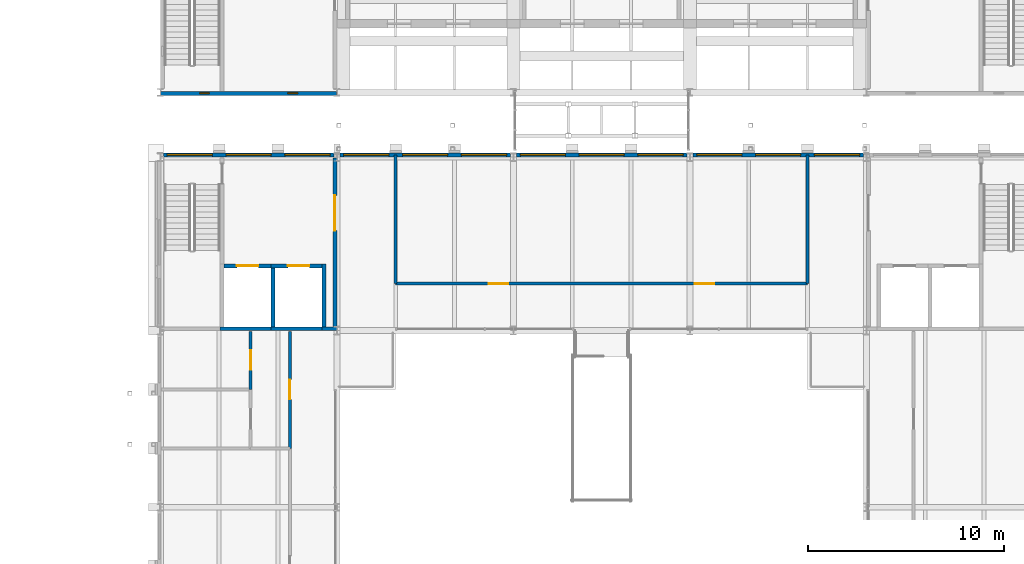
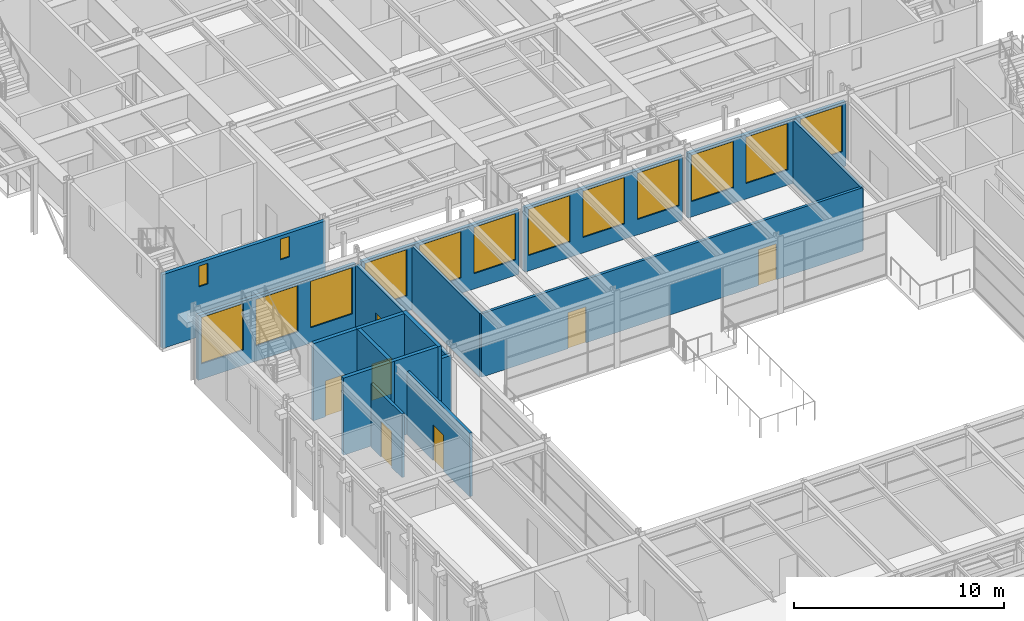
# One storey, part 103 of 153: 18 walls, 14 windows, 7 doors, 21 openings.
"""IFC4 building model written with IfcOpenShell, lengths in metres."""

from ifc_helpers import new_model, si_unit, direction, frame, frame_2d, origin, place, context, subcontext, project, spatial, rectangle, extrude, material, layer, layer_set, type_object, element, fill, save


model = new_model("IFC4")

# Units and contexts
model_context = context("Model", 3, precision=1e-05, world=origin(), true_north=direction((0.0, 1.0)))
body_context = subcontext(model_context, "Body", "Model", "MODEL_VIEW")
ifc_project = project(units=[si_unit("LENGTHUNIT", "METRE"), si_unit("AREAUNIT", "SQUARE_METRE"), si_unit("VOLUMEUNIT", "CUBIC_METRE"), si_unit("PLANEANGLEUNIT", "RADIAN"), si_unit("MASSUNIT", "GRAM", prefix="KILO")], contexts=[model_context])

# Site, building, storey
site_placement = place(None, origin())
site = spatial("IfcSite", under=ifc_project, at=site_placement, CompositionType="ELEMENT")
building_placement = place(site_placement, origin())
building = spatial("IfcBuilding", under=site, at=building_placement, Name="Kallimachos Central Library", CompositionType="ELEMENT")
storey_placement = place(building_placement, frame((0.0, 0.0, 5.39990234375)))
storey = spatial("IfcBuildingStorey", under=building, at=storey_placement, Name="L01", CompositionType="ELEMENT", Elevation=5.39990234375)

# Wall, opening, door
ifc_material_1 = material(Name="Concrete C30/37", Category="concrete")
ifc_layer_1 = layer(ifc_material_1, 0.199951171875)
ifc_layer_set_1 = layer_set([ifc_layer_1], Name="Lift shaft wall 200")
wall_type_1 = type_object("IfcWallType", Name="Lift shaft wall 200", PredefinedType="SOLIDWALL", material=ifc_layer_set_1)
wall_1_placement = place(storey_placement, frame((68.75, 78.300048828125, 0.0), z_axis=(0.0, 0.0, 1.0), x_axis=(1.0, 0.0, 0.0)))
wall_1 = element("IfcWall", 1, at=wall_1_placement, inside=storey, type_object=wall_type_1, Name="V4-WAL-L01-001", PredefinedType="SOLIDWALL", context=body_context, shape_type="SweptSolid", body=[
    extrude(rectangle(XDim=2.39990234375, YDim=0.199951171875, at=frame_2d((1.199951171875, 0.0))), origin(), (0.0, 0.0, 1.0), 4.5),
])
opening_1_placement = place(wall_1_placement, frame((0.64990234375, 0.0, 0.0)))
opening_1 = element("IfcOpeningElement", 2, at=opening_1_placement, cuts=wall_1, Name="Opening LD1100", PredefinedType="OPENING", context=body_context, shape_type="SweptSolid", body=[
    extrude(rectangle(XDim=1.10009765625, YDim=2.10009765625, at=frame_2d((0.550048828125, 1.050048828125))), frame((0.0, 0.10986328125, 0.0), z_axis=(0.0, -1.0, 0.0), x_axis=(1.0, 0.0, 0.0)), (0.0, 0.0, 1.0), 0.219970703125),
])
ifc_material_2 = material(Name="Stainless steel", Category="steel")
door_type_1 = type_object("IfcDoorType", Name="Lift landing door 1100 x 2100", OperationType="SLIDING_TO_LEFT", PredefinedType="DOOR", material=ifc_material_2)
door_1_placement = place(opening_1_placement, origin())
door_1 = element("IfcDoor", 3, at=door_1_placement, inside=storey, type_object=door_type_1, Name="LF7 landing door L01", OperationType="SLIDING_TO_LEFT", OverallHeight=2.10009765625, OverallWidth=1.10009765625, PredefinedType="DOOR", context=body_context, shape_type="SweptSolid", body=[
    extrude(rectangle(XDim=1.10009765625, YDim=2.10009765625, at=frame_2d((0.550048828125, 1.050048828125))), frame((0.0, 0.02490234375, 0.0), z_axis=(0.0, -1.0, 0.0), x_axis=(1.0, 0.0, 0.0)), (0.0, 0.0, 1.0), 0.050048828125),
])
fill(opening_1, door_1)

# Walls
wall_2_placement = place(storey_placement, frame((68.550048828125, 75.10009765625, 0.0), z_axis=(0.0, 0.0, 1.0), x_axis=(1.0, 0.0, 0.0)))
element("IfcWall", 4, at=wall_2_placement, inside=storey, type_object=wall_type_1, Name="V4-WAL-L01-002", PredefinedType="SOLIDWALL", context=body_context, shape_type="SweptSolid", body=[
    extrude(rectangle(XDim=2.599853515625, YDim=0.199951171875, at=frame_2d((1.2998046875, 0.0))), origin(), (0.0, 0.0, 1.0), 4.5),
])
wall_3_placement = place(storey_placement, frame((71.25, 75.0, 0.0), z_axis=(0.0, 0.0, 1.0), x_axis=(0.0, 1.0, 0.0)))
element("IfcWall", 5, at=wall_3_placement, inside=storey, type_object=wall_type_1, Name="V4-WAL-L01-004", PredefinedType="SOLIDWALL", context=body_context, shape_type="SweptSolid", body=[
    extrude(rectangle(XDim=3.39990234375, YDim=0.199951171875, at=frame_2d((1.699951171875, 0.0))), origin(), (0.0, 0.0, 1.0), 4.5),
])

# Wall, opening, door
wall_4_placement = place(storey_placement, frame((71.14990234375, 78.300048828125, 0.0), z_axis=(0.0, 0.0, 1.0), x_axis=(1.0, 0.0, 0.0)))
wall_4 = element("IfcWall", 6, at=wall_4_placement, inside=storey, type_object=wall_type_1, Name="V4-WAL-L01-005", PredefinedType="SOLIDWALL", context=body_context, shape_type="SweptSolid", body=[
    extrude(rectangle(XDim=2.60009765625, YDim=0.199951171875, at=frame_2d((1.300048828125, 0.0))), origin(), (0.0, 0.0, 1.0), 4.5),
])
opening_2_placement = place(wall_4_placement, frame((0.85009765625, 0.0, 0.0)))
opening_2 = element("IfcOpeningElement", 7, at=opening_2_placement, cuts=wall_4, Name="Opening LD1100", PredefinedType="OPENING", context=body_context, shape_type="SweptSolid", body=[
    extrude(rectangle(XDim=1.10009765625, YDim=2.10009765625, at=frame_2d((0.550048828125, 1.050048828125))), frame((0.0, 0.10986328125, 0.0), z_axis=(0.0, -1.0, 0.0), x_axis=(1.0, 0.0, 0.0)), (0.0, 0.0, 1.0), 0.219970703125),
])
door_2_placement = place(opening_2_placement, origin())
door_2 = element("IfcDoor", 8, at=door_2_placement, inside=storey, type_object=door_type_1, Name="LF8 landing door L01", OperationType="SLIDING_TO_LEFT", OverallHeight=2.10009765625, OverallWidth=1.10009765625, PredefinedType="DOOR", context=body_context, shape_type="SweptSolid", body=[
    extrude(rectangle(XDim=1.10009765625, YDim=2.10009765625, at=frame_2d((0.550048828125, 1.050048828125))), frame((0.0, 0.02490234375, 0.0), z_axis=(0.0, -1.0, 0.0), x_axis=(1.0, 0.0, 0.0)), (0.0, 0.0, 1.0), 0.050048828125),
])
fill(opening_2, door_2)

# Walls
wall_5_placement = place(storey_placement, frame((71.14990234375, 75.10009765625, 0.0), z_axis=(0.0, 0.0, 1.0), x_axis=(1.0, 0.0, 0.0)))
element("IfcWall", 9, at=wall_5_placement, inside=storey, type_object=wall_type_1, Name="V4-WAL-L01-006", PredefinedType="SOLIDWALL", context=body_context, shape_type="SweptSolid", body=[
    extrude(rectangle(XDim=2.60009765625, YDim=0.199951171875, at=frame_2d((1.300048828125, 0.0))), origin(), (0.0, 0.0, 1.0), 4.5),
])
wall_6_placement = place(storey_placement, frame((73.85009765625, 75.0, 0.0), z_axis=(0.0, 0.0, 1.0), x_axis=(0.0, 1.0, 0.0)))
element("IfcWall", 10, at=wall_6_placement, inside=storey, type_object=wall_type_1, Name="V4-WAL-L01-007", PredefinedType="SOLIDWALL", context=body_context, shape_type="SweptSolid", body=[
    extrude(rectangle(XDim=3.39990234375, YDim=0.199951171875, at=frame_2d((1.699951171875, 0.0))), origin(), (0.0, 0.0, 1.0), 4.5),
])
ifc_material_3 = material(Name="Gypsum board on steel studs", Category="steel")
ifc_layer_2 = layer(ifc_material_3, 0.14990234375)
ifc_layer_set_2 = layer_set([ifc_layer_2], Name="Partition wall 150")
wall_type_2 = type_object("IfcWallType", Name="Partition wall 150", PredefinedType="PARTITIONING", material=ifc_layer_set_2)
for number, where, z_axis, x_axis, name in (
    (11, (98.5, 77.39990234375, 0.0), (0.0, 0.0, 1.0), (0.0, 1.0, 0.0), "L01 partition"),
    (12, (77.5, 77.39990234375, 0.0), (0.0, 0.0, 1.0), (0.0, 1.0, 0.0), "L01 partition"),
):
    element("IfcWall", number, at=place(storey_placement, frame(where, z_axis=z_axis, x_axis=x_axis)), inside=storey, type_object=wall_type_2, Name=name, PredefinedType="PARTITIONING", context=body_context, shape_type="SweptSolid", body=[
        extrude(rectangle(XDim=6.550048828125, YDim=0.14990234375, at=frame_2d((3.27490234375, 0.0))), origin(), (0.0, 0.0, 1.0), 3.7001953125),
    ])

# Wall, openings, doors
wall_7_placement = place(storey_placement, frame((77.5, 77.39990234375, 0.0), z_axis=(0.0, 0.0, 1.0), x_axis=(1.0, 0.0, 0.0)))
wall_7 = element("IfcWall", 13, at=wall_7_placement, inside=storey, type_object=wall_type_2, Name="L01 partition", PredefinedType="PARTITIONING", context=body_context, shape_type="SweptSolid", body=[
    extrude(rectangle(XDim=21.0, YDim=0.14990234375, at=frame_2d((10.5, 0.0))), origin(), (0.0, 0.0, 1.0), 3.7001953125),
])
opening_3_placement = place(wall_7_placement, frame((4.75, 0.0, 0.0)))
opening_3 = element("IfcOpeningElement", 14, at=opening_3_placement, cuts=wall_7, Name="Opening D189", PredefinedType="OPENING", context=body_context, shape_type="SweptSolid", body=[
    extrude(rectangle(XDim=1.0, YDim=2.10009765625, at=frame_2d((0.5, 1.050048828125))), frame((0.0, 0.0849609375, 0.0), z_axis=(0.0, -1.0, 0.0), x_axis=(1.0, 0.0, 0.0)), (0.0, 0.0, 1.0), 0.169921875),
])
opening_4_placement = place(wall_7_placement, frame((15.25, 0.0, 0.0)))
opening_4 = element("IfcOpeningElement", 15, at=opening_4_placement, cuts=wall_7, Name="Opening D190", PredefinedType="OPENING", context=body_context, shape_type="SweptSolid", body=[
    extrude(rectangle(XDim=1.0, YDim=2.10009765625, at=frame_2d((0.5, 1.050048828125))), frame((0.0, 0.0849609375, 0.0), z_axis=(0.0, -1.0, 0.0), x_axis=(1.0, 0.0, 0.0)), (0.0, 0.0, 1.0), 0.169921875),
])
ifc_material_4 = material(Name="Timber", Category="wood")
door_type_2 = type_object("IfcDoorType", Name="Single leaf door 1000 x 2100, EI2 30", OperationType="NOTDEFINED", PredefinedType="DOOR", material=ifc_material_4)
door_3_placement = place(opening_3_placement, frame((1.0, 0.0, 0.0), z_axis=(0.0, 0.0, 1.0), x_axis=(-1.0, 0.0, 0.0)))
door_3 = element("IfcDoor", 16, at=door_3_placement, inside=storey, type_object=door_type_2, Name="L01 door Open Stacks Humanities", OperationType="SINGLE_SWING_LEFT", OverallHeight=2.10009765625, OverallWidth=1.0, PredefinedType="DOOR", context=body_context, shape_type="SweptSolid", body=[
    extrude(rectangle(XDim=1.0, YDim=2.10009765625, at=frame_2d((0.5, 1.050048828125))), frame((0.0, 0.02490234375, 0.0), z_axis=(0.0, -1.0, 0.0), x_axis=(1.0, 0.0, 0.0)), (0.0, 0.0, 1.0), 0.050048828125),
])
fill(opening_3, door_3)
door_4_placement = place(opening_4_placement, frame((1.0, 0.0, 0.0), z_axis=(0.0, 0.0, 1.0), x_axis=(-1.0, 0.0, 0.0)))
door_4 = element("IfcDoor", 17, at=door_4_placement, inside=storey, type_object=door_type_2, Name="L01 door Open Stacks Humanities", OperationType="SINGLE_SWING_LEFT", OverallHeight=2.10009765625, OverallWidth=1.0, PredefinedType="DOOR", context=body_context, shape_type="SweptSolid", body=[
    extrude(rectangle(XDim=1.0, YDim=2.10009765625, at=frame_2d((0.5, 1.050048828125))), frame((0.0, 0.02490234375, 0.0), z_axis=(0.0, -1.0, 0.0), x_axis=(1.0, 0.0, 0.0)), (0.0, 0.0, 1.0), 0.050048828125),
])
fill(opening_4, door_4)

# Wall, opening, door
wall_8_placement = place(storey_placement, frame((72.10009765625, 69.0, 0.0), z_axis=(0.0, 0.0, 1.0), x_axis=(0.0, 1.0, 0.0)))
wall_8 = element("IfcWall", 18, at=wall_8_placement, inside=storey, type_object=wall_type_2, Name="L01 partition", PredefinedType="PARTITIONING", context=body_context, shape_type="SweptSolid", body=[
    extrude(rectangle(XDim=5.949951171875, YDim=0.14990234375, at=frame_2d((2.97509765625, 0.0))), origin(), (0.0, 0.0, 1.0), 3.7001953125),
])
opening_5_placement = place(wall_8_placement, frame((2.5, 0.0, 0.0)))
opening_5 = element("IfcOpeningElement", 19, at=opening_5_placement, cuts=wall_8, Name="Opening D194", PredefinedType="OPENING", context=body_context, shape_type="SweptSolid", body=[
    extrude(rectangle(XDim=1.0, YDim=2.10009765625, at=frame_2d((0.5, 1.050048828125))), frame((0.0, 0.0849609375, 0.0), z_axis=(0.0, -1.0, 0.0), x_axis=(1.0, 0.0, 0.0)), (0.0, 0.0, 1.0), 0.169921875),
])
door_5_placement = place(opening_5_placement, origin())
door_5 = element("IfcDoor", 20, at=door_5_placement, inside=storey, type_object=door_type_2, Name="L01 door WC Lobby", OperationType="SINGLE_SWING_RIGHT", OverallHeight=2.10009765625, OverallWidth=1.0, PredefinedType="DOOR", context=body_context, shape_type="SweptSolid", body=[
    extrude(rectangle(XDim=1.0, YDim=2.10009765625, at=frame_2d((0.5, 1.050048828125))), frame((0.0, 0.02490234375, 0.0), z_axis=(0.0, -1.0, 0.0), x_axis=(1.0, 0.0, 0.0)), (0.0, 0.0, 1.0), 0.050048828125),
])
fill(opening_5, door_5)

wall_9_placement = place(storey_placement, frame((70.10009765625, 72.0, 0.0), z_axis=(0.0, 0.0, 1.0), x_axis=(0.0, 1.0, 0.0)))
wall_9 = element("IfcWall", 21, at=wall_9_placement, inside=storey, type_object=wall_type_2, Name="L01 partition", PredefinedType="PARTITIONING", context=body_context, shape_type="SweptSolid", body=[
    extrude(rectangle(XDim=2.949951171875, YDim=0.14990234375, at=frame_2d((1.47509765625, 0.0))), origin(), (0.0, 0.0, 1.0), 3.7001953125),
])
opening_6_placement = place(wall_9_placement, frame((1.0, 0.0, 0.0)))
opening_6 = element("IfcOpeningElement", 22, at=opening_6_placement, cuts=wall_9, Name="Opening D196", PredefinedType="OPENING", context=body_context, shape_type="SweptSolid", body=[
    extrude(rectangle(XDim=1.0, YDim=2.10009765625, at=frame_2d((0.5, 1.050048828125))), frame((0.0, 0.0849609375, 0.0), z_axis=(0.0, -1.0, 0.0), x_axis=(1.0, 0.0, 0.0)), (0.0, 0.0, 1.0), 0.169921875),
])
door_6_placement = place(opening_6_placement, frame((1.0, 0.0, 0.0), z_axis=(0.0, 0.0, 1.0), x_axis=(-1.0, 0.0, 0.0)))
door_6 = element("IfcDoor", 23, at=door_6_placement, inside=storey, type_object=door_type_2, Name="L01 door Accessible WC", OperationType="SINGLE_SWING_RIGHT", OverallHeight=2.10009765625, OverallWidth=1.0, PredefinedType="DOOR", context=body_context, shape_type="SweptSolid", body=[
    extrude(rectangle(XDim=1.0, YDim=2.10009765625, at=frame_2d((0.5, 1.050048828125))), frame((0.0, 0.02490234375, 0.0), z_axis=(0.0, -1.0, 0.0), x_axis=(1.0, 0.0, 0.0)), (0.0, 0.0, 1.0), 0.050048828125),
])
fill(opening_6, door_6)

# Wall
ifc_material_5 = material(Name="Concrete C35/45", Category="concrete")
ifc_layer_3 = layer(ifc_material_5, 0.199951171875)
ifc_layer_set_3 = layer_set([ifc_layer_3], Name="Shear core wall 200, internal")
wall_type_3 = type_object("IfcWallType", Name="Shear core wall 200, internal", PredefinedType="SHEAR", material=ifc_layer_set_3)
wall_10_placement = place(storey_placement, frame((73.75, 75.10009765625, 0.0), z_axis=(0.0, 0.0, 1.0), x_axis=(1.0, 0.0, 0.0)))
element("IfcWall", 24, at=wall_10_placement, inside=storey, type_object=wall_type_3, Name="L01 core wall V4-NW S2", PredefinedType="SHEAR", context=body_context, shape_type="SweptSolid", body=[
    extrude(rectangle(XDim=0.75, YDim=0.199951171875, at=frame_2d((0.375, 0.0))), origin(), (0.0, 0.0, 1.0), 3.75),
])

# Wall, opening, door
wall_11_placement = place(storey_placement, frame((74.39990234375, 75.199951171875, 0.0), z_axis=(0.0, 0.0, 1.0), x_axis=(0.0, 1.0, 0.0)))
wall_11 = element("IfcWall", 25, at=wall_11_placement, inside=storey, type_object=wall_type_3, Name="L01 core wall V4-NW E", PredefinedType="SHEAR", context=body_context, shape_type="SweptSolid", body=[
    extrude(rectangle(XDim=8.60009765625, YDim=0.199951171875, at=frame_2d((4.300048828125, 0.0))), origin(), (0.0, 0.0, 1.0), 3.75),
])
opening_7_placement = place(wall_11_placement, frame((4.89990234375, 0.0, 0.0)))
opening_7 = element("IfcOpeningElement", 26, at=opening_7_placement, cuts=wall_11, Name="Opening D147", PredefinedType="OPENING", context=body_context, shape_type="SweptSolid", body=[
    extrude(rectangle(XDim=1.800048828125, YDim=2.10009765625, at=frame_2d((0.89990234375, 1.050048828125))), frame((0.0, 0.10986328125, 0.0), z_axis=(0.0, -1.0, 0.0), x_axis=(1.0, 0.0, 0.0)), (0.0, 0.0, 1.0), 0.219970703125),
])
ifc_material_6 = material(Name="Timber and glass", Category="wood")
door_type_3 = type_object("IfcDoorType", Name="Double leaf door 1800 x 2100, EI2 90", OperationType="DOUBLE_DOOR_SINGLE_SWING", PredefinedType="DOOR", material=ifc_material_6)
door_7_placement = place(opening_7_placement, origin())
door_7 = element("IfcDoor", 27, at=door_7_placement, inside=storey, type_object=door_type_3, Name="L01 core door V4-NW", OperationType="DOUBLE_DOOR_SINGLE_SWING", OverallHeight=2.10009765625, OverallWidth=1.800048828125, PredefinedType="DOOR", context=body_context, shape_type="SweptSolid", body=[
    extrude(rectangle(XDim=1.800048828125, YDim=2.10009765625, at=frame_2d((0.89990234375, 1.050048828125))), frame((0.0, 0.02490234375, 0.0), z_axis=(0.0, -1.0, 0.0), x_axis=(1.0, 0.0, 0.0)), (0.0, 0.0, 1.0), 0.050048828125),
])
fill(opening_7, door_7)

# Wall, openings, windows
ifc_material_7 = material(Name="Concrete C30/37", Category="concrete")
ifc_layer_4 = layer(ifc_material_7, 0.199951171875)
ifc_layer_set_4 = layer_set([ifc_layer_4], Name="Stone-clad core wall 200")
wall_type_4 = type_object("IfcWallType", Name="Stone-clad core wall 200", PredefinedType="SOLIDWALL", material=ifc_layer_set_4)
wall_12_placement = place(storey_placement, frame((65.510986328125, 87.10009765625, 0.0), z_axis=(0.0, 0.0, 1.0), x_axis=(1.0, 0.0, 0.0)))
wall_12 = element("IfcWall", 28, at=wall_12_placement, inside=storey, type_object=wall_type_4, Name="Core wall V1-SW S", PredefinedType="SOLIDWALL", context=body_context, shape_type="SweptSolid", body=[
    extrude(rectangle(XDim=8.97802734375, YDim=0.199951171875, at=frame_2d((4.489013671875, 0.0))), origin(), (0.0, 0.0, 1.0), 4.300048828125),
])
opening_8_placement = place(wall_12_placement, frame((1.989013671875, 0.0, 2.89990234375)))
opening_8 = element("IfcOpeningElement", 29, at=opening_8_placement, cuts=wall_12, Name="Opening W98", PredefinedType="OPENING", context=body_context, shape_type="SweptSolid", body=[
    extrude(rectangle(XDim=0.5, YDim=1.199951171875, at=frame_2d((0.25, 0.60009765625))), frame((0.0, 0.10986328125, 0.0), z_axis=(0.0, -1.0, 0.0), x_axis=(1.0, 0.0, 0.0)), (0.0, 0.0, 1.0), 0.219970703125),
])
opening_9_placement = place(wall_12_placement, frame((6.489013671875, 0.0, 2.89990234375)))
opening_9 = element("IfcOpeningElement", 30, at=opening_9_placement, cuts=wall_12, Name="Opening W99", PredefinedType="OPENING", context=body_context, shape_type="SweptSolid", body=[
    extrude(rectangle(XDim=0.5, YDim=1.199951171875, at=frame_2d((0.25, 0.60009765625))), frame((0.0, 0.10986328125, 0.0), z_axis=(0.0, -1.0, 0.0), x_axis=(1.0, 0.0, 0.0)), (0.0, 0.0, 1.0), 0.219970703125),
])
ifc_material_8 = material(Name="Laminated glass in bronze-anodised aluminium frame", Category="aluminium")
window_type_1 = type_object("IfcWindowType", Name="Stair slot window 500x1200", PartitioningType="SINGLE_PANEL", PredefinedType="WINDOW", material=ifc_material_8)
window_1_placement = place(opening_8_placement, origin())
window_1 = element("IfcWindow", 31, at=window_1_placement, inside=storey, type_object=window_type_1, Name="V1-WIN-L01-019", OverallHeight=1.199951171875, OverallWidth=0.5, PartitioningType="SINGLE_PANEL", PredefinedType="WINDOW", context=body_context, shape_type="SweptSolid", body=[
    extrude(rectangle(XDim=0.5, YDim=1.199951171875, at=frame_2d((0.25, 0.60009765625))), frame((0.0, 0.030029296875, 0.0), z_axis=(0.0, -1.0, 0.0), x_axis=(1.0, 0.0, 0.0)), (0.0, 0.0, 1.0), 0.06005859375),
])
fill(opening_8, window_1)
window_2_placement = place(opening_9_placement, origin())
window_2 = element("IfcWindow", 32, at=window_2_placement, inside=storey, type_object=window_type_1, Name="V1-WIN-L01-020", OverallHeight=1.199951171875, OverallWidth=0.5, PartitioningType="SINGLE_PANEL", PredefinedType="WINDOW", context=body_context, shape_type="SweptSolid", body=[
    extrude(rectangle(XDim=0.5, YDim=1.199951171875, at=frame_2d((0.25, 0.60009765625))), frame((0.0, 0.030029296875, 0.0), z_axis=(0.0, -1.0, 0.0), x_axis=(1.0, 0.0, 0.0)), (0.0, 0.0, 1.0), 0.06005859375),
])
fill(opening_9, window_2)

ifc_material_9 = material(Name="Brick masonry with Pentelic marble cladding", Category="masonry")
ifc_layer_5 = layer(ifc_material_9, 0.199951171875)
ifc_layer_set_5 = layer_set([ifc_layer_5], Name="Stone-clad masonry wall 200")
wall_type_5 = type_object("IfcWallType", Name="Stone-clad masonry wall 200", PredefinedType="SOLIDWALL", material=ifc_layer_set_5)
wall_13_placement = place(storey_placement, frame((74.653564453125, 83.966064453125, 0.0), z_axis=(0.0, 0.0, 1.0), x_axis=(1.0, 0.0, 0.0)))
wall_13 = element("IfcWall", 33, at=wall_13_placement, inside=storey, type_object=wall_type_5, Name="V4-WAL-L01-021", PredefinedType="SOLIDWALL", context=body_context, shape_type="SweptSolid", body=[
    extrude(rectangle(XDim=8.69287109375, YDim=0.199951171875, at=frame_2d((4.346435546875, 0.0))), origin(), (0.0, 0.0, 1.0), 3.75),
])
opening_10_placement = place(wall_13_placement, frame((0.196533203125, 0.0, 0.89990234375)))
opening_10 = element("IfcOpeningElement", 34, at=opening_10_placement, cuts=wall_13, Name="Opening WN161", PredefinedType="OPENING", context=body_context, shape_type="SweptSolid", body=[
    extrude(rectangle(XDim=2.300048828125, YDim=2.699951171875, at=frame_2d((1.14990234375, 1.35009765625))), frame((0.0, 0.10986328125, 0.0), z_axis=(0.0, -1.0, 0.0), x_axis=(1.0, 0.0, 0.0)), (0.0, 0.0, 1.0), 0.219970703125),
])
opening_11_placement = place(wall_13_placement, frame((3.196533203125, 0.0, 0.89990234375)))
opening_11 = element("IfcOpeningElement", 35, at=opening_11_placement, cuts=wall_13, Name="Opening WN161", PredefinedType="OPENING", context=body_context, shape_type="SweptSolid", body=[
    extrude(rectangle(XDim=2.300048828125, YDim=2.699951171875, at=frame_2d((1.14990234375, 1.35009765625))), frame((0.0, 0.10986328125, 0.0), z_axis=(0.0, -1.0, 0.0), x_axis=(1.0, 0.0, 0.0)), (0.0, 0.0, 1.0), 0.219970703125),
])
opening_12_placement = place(wall_13_placement, frame((6.196533203125, 0.0, 0.89990234375)))
opening_12 = element("IfcOpeningElement", 36, at=opening_12_placement, cuts=wall_13, Name="Opening WN161", PredefinedType="OPENING", context=body_context, shape_type="SweptSolid", body=[
    extrude(rectangle(XDim=2.300048828125, YDim=2.699951171875, at=frame_2d((1.14990234375, 1.35009765625))), frame((0.0, 0.10986328125, 0.0), z_axis=(0.0, -1.0, 0.0), x_axis=(1.0, 0.0, 0.0)), (0.0, 0.0, 1.0), 0.219970703125),
])
ifc_material_10 = material(Name="Anodised aluminium and laminated glass", Category="aluminium")
window_type_2 = type_object("IfcWindowType", Name="Window 2300 x 2700", PartitioningType="DOUBLE_PANEL_VERTICAL", PredefinedType="WINDOW", material=ifc_material_10)
window_3_placement = place(opening_10_placement, origin())
window_3 = element("IfcWindow", 37, at=window_3_placement, inside=storey, type_object=window_type_2, Name="V4-WIN-L01-018", OverallHeight=2.699951171875, OverallWidth=2.300048828125, PartitioningType="SINGLE_PANEL", PredefinedType="WINDOW", context=body_context, shape_type="SweptSolid", body=[
    extrude(rectangle(XDim=2.300048828125, YDim=2.699951171875, at=frame_2d((1.14990234375, 1.35009765625))), frame((0.0, 0.030029296875, 0.0), z_axis=(0.0, -1.0, 0.0), x_axis=(1.0, 0.0, 0.0)), (0.0, 0.0, 1.0), 0.06005859375),
])
fill(opening_10, window_3)
window_4_placement = place(opening_11_placement, origin())
window_4 = element("IfcWindow", 38, at=window_4_placement, inside=storey, type_object=window_type_2, Name="V4-WIN-L01-019", OverallHeight=2.699951171875, OverallWidth=2.300048828125, PartitioningType="SINGLE_PANEL", PredefinedType="WINDOW", context=body_context, shape_type="SweptSolid", body=[
    extrude(rectangle(XDim=2.300048828125, YDim=2.699951171875, at=frame_2d((1.14990234375, 1.35009765625))), frame((0.0, 0.030029296875, 0.0), z_axis=(0.0, -1.0, 0.0), x_axis=(1.0, 0.0, 0.0)), (0.0, 0.0, 1.0), 0.06005859375),
])
fill(opening_11, window_4)
window_5_placement = place(opening_12_placement, origin())
window_5 = element("IfcWindow", 39, at=window_5_placement, inside=storey, type_object=window_type_2, Name="V4-WIN-L01-020", OverallHeight=2.699951171875, OverallWidth=2.300048828125, PartitioningType="SINGLE_PANEL", PredefinedType="WINDOW", context=body_context, shape_type="SweptSolid", body=[
    extrude(rectangle(XDim=2.300048828125, YDim=2.699951171875, at=frame_2d((1.14990234375, 1.35009765625))), frame((0.0, 0.030029296875, 0.0), z_axis=(0.0, -1.0, 0.0), x_axis=(1.0, 0.0, 0.0)), (0.0, 0.0, 1.0), 0.06005859375),
])
fill(opening_12, window_5)

wall_14_placement = place(storey_placement, frame((83.653564453125, 83.966064453125, 0.0), z_axis=(0.0, 0.0, 1.0), x_axis=(1.0, 0.0, 0.0)))
wall_14 = element("IfcWall", 40, at=wall_14_placement, inside=storey, type_object=wall_type_5, Name="V4-WAL-L01-022", PredefinedType="SOLIDWALL", context=body_context, shape_type="SweptSolid", body=[
    extrude(rectangle(XDim=8.69287109375, YDim=0.199951171875, at=frame_2d((4.346435546875, 0.0))), origin(), (0.0, 0.0, 1.0), 3.75),
])
opening_13_placement = place(wall_14_placement, frame((0.196533203125, 0.0, 0.89990234375)))
opening_13 = element("IfcOpeningElement", 41, at=opening_13_placement, cuts=wall_14, Name="Opening WN161", PredefinedType="OPENING", context=body_context, shape_type="SweptSolid", body=[
    extrude(rectangle(XDim=2.300048828125, YDim=2.699951171875, at=frame_2d((1.14990234375, 1.35009765625))), frame((0.0, 0.10986328125, 0.0), z_axis=(0.0, -1.0, 0.0), x_axis=(1.0, 0.0, 0.0)), (0.0, 0.0, 1.0), 0.219970703125),
])
opening_14_placement = place(wall_14_placement, frame((3.196533203125, 0.0, 0.89990234375)))
opening_14 = element("IfcOpeningElement", 42, at=opening_14_placement, cuts=wall_14, Name="Opening WN161", PredefinedType="OPENING", context=body_context, shape_type="SweptSolid", body=[
    extrude(rectangle(XDim=2.300048828125, YDim=2.699951171875, at=frame_2d((1.14990234375, 1.35009765625))), frame((0.0, 0.10986328125, 0.0), z_axis=(0.0, -1.0, 0.0), x_axis=(1.0, 0.0, 0.0)), (0.0, 0.0, 1.0), 0.219970703125),
])
opening_15_placement = place(wall_14_placement, frame((6.196533203125, 0.0, 0.89990234375)))
opening_15 = element("IfcOpeningElement", 43, at=opening_15_placement, cuts=wall_14, Name="Opening WN161", PredefinedType="OPENING", context=body_context, shape_type="SweptSolid", body=[
    extrude(rectangle(XDim=2.300048828125, YDim=2.699951171875, at=frame_2d((1.14990234375, 1.35009765625))), frame((0.0, 0.10986328125, 0.0), z_axis=(0.0, -1.0, 0.0), x_axis=(1.0, 0.0, 0.0)), (0.0, 0.0, 1.0), 0.219970703125),
])
window_6_placement = place(opening_13_placement, origin())
window_6 = element("IfcWindow", 44, at=window_6_placement, inside=storey, type_object=window_type_2, Name="V4-WIN-L01-021", OverallHeight=2.699951171875, OverallWidth=2.300048828125, PartitioningType="SINGLE_PANEL", PredefinedType="WINDOW", context=body_context, shape_type="SweptSolid", body=[
    extrude(rectangle(XDim=2.300048828125, YDim=2.699951171875, at=frame_2d((1.14990234375, 1.35009765625))), frame((0.0, 0.030029296875, 0.0), z_axis=(0.0, -1.0, 0.0), x_axis=(1.0, 0.0, 0.0)), (0.0, 0.0, 1.0), 0.06005859375),
])
fill(opening_13, window_6)
window_7_placement = place(opening_14_placement, origin())
window_7 = element("IfcWindow", 45, at=window_7_placement, inside=storey, type_object=window_type_2, Name="V4-WIN-L01-022", OverallHeight=2.699951171875, OverallWidth=2.300048828125, PartitioningType="SINGLE_PANEL", PredefinedType="WINDOW", context=body_context, shape_type="SweptSolid", body=[
    extrude(rectangle(XDim=2.300048828125, YDim=2.699951171875, at=frame_2d((1.14990234375, 1.35009765625))), frame((0.0, 0.030029296875, 0.0), z_axis=(0.0, -1.0, 0.0), x_axis=(1.0, 0.0, 0.0)), (0.0, 0.0, 1.0), 0.06005859375),
])
fill(opening_14, window_7)
window_8_placement = place(opening_15_placement, origin())
window_8 = element("IfcWindow", 46, at=window_8_placement, inside=storey, type_object=window_type_2, Name="V4-WIN-L01-023", OverallHeight=2.699951171875, OverallWidth=2.300048828125, PartitioningType="SINGLE_PANEL", PredefinedType="WINDOW", context=body_context, shape_type="SweptSolid", body=[
    extrude(rectangle(XDim=2.300048828125, YDim=2.699951171875, at=frame_2d((1.14990234375, 1.35009765625))), frame((0.0, 0.030029296875, 0.0), z_axis=(0.0, -1.0, 0.0), x_axis=(1.0, 0.0, 0.0)), (0.0, 0.0, 1.0), 0.06005859375),
])
fill(opening_15, window_8)

wall_15_placement = place(storey_placement, frame((92.653564453125, 83.966064453125, 0.0), z_axis=(0.0, 0.0, 1.0), x_axis=(1.0, 0.0, 0.0)))
wall_15 = element("IfcWall", 47, at=wall_15_placement, inside=storey, type_object=wall_type_5, Name="V4-WAL-L01-023", PredefinedType="SOLIDWALL", context=body_context, shape_type="SweptSolid", body=[
    extrude(rectangle(XDim=8.69287109375, YDim=0.199951171875, at=frame_2d((4.346435546875, 0.0))), origin(), (0.0, 0.0, 1.0), 3.75),
])
opening_16_placement = place(wall_15_placement, frame((0.196533203125, 0.0, 0.89990234375)))
opening_16 = element("IfcOpeningElement", 48, at=opening_16_placement, cuts=wall_15, Name="Opening WN161", PredefinedType="OPENING", context=body_context, shape_type="SweptSolid", body=[
    extrude(rectangle(XDim=2.300048828125, YDim=2.699951171875, at=frame_2d((1.14990234375, 1.35009765625))), frame((0.0, 0.10986328125, 0.0), z_axis=(0.0, -1.0, 0.0), x_axis=(1.0, 0.0, 0.0)), (0.0, 0.0, 1.0), 0.219970703125),
])
opening_17_placement = place(wall_15_placement, frame((3.196533203125, 0.0, 0.89990234375)))
opening_17 = element("IfcOpeningElement", 49, at=opening_17_placement, cuts=wall_15, Name="Opening WN161", PredefinedType="OPENING", context=body_context, shape_type="SweptSolid", body=[
    extrude(rectangle(XDim=2.300048828125, YDim=2.699951171875, at=frame_2d((1.14990234375, 1.35009765625))), frame((0.0, 0.10986328125, 0.0), z_axis=(0.0, -1.0, 0.0), x_axis=(1.0, 0.0, 0.0)), (0.0, 0.0, 1.0), 0.219970703125),
])
opening_18_placement = place(wall_15_placement, frame((6.196533203125, 0.0, 0.89990234375)))
opening_18 = element("IfcOpeningElement", 50, at=opening_18_placement, cuts=wall_15, Name="Opening WN161", PredefinedType="OPENING", context=body_context, shape_type="SweptSolid", body=[
    extrude(rectangle(XDim=2.300048828125, YDim=2.699951171875, at=frame_2d((1.14990234375, 1.35009765625))), frame((0.0, 0.10986328125, 0.0), z_axis=(0.0, -1.0, 0.0), x_axis=(1.0, 0.0, 0.0)), (0.0, 0.0, 1.0), 0.219970703125),
])
window_9_placement = place(opening_16_placement, origin())
window_9 = element("IfcWindow", 51, at=window_9_placement, inside=storey, type_object=window_type_2, Name="V4-WIN-L01-024", OverallHeight=2.699951171875, OverallWidth=2.300048828125, PartitioningType="SINGLE_PANEL", PredefinedType="WINDOW", context=body_context, shape_type="SweptSolid", body=[
    extrude(rectangle(XDim=2.300048828125, YDim=2.699951171875, at=frame_2d((1.14990234375, 1.35009765625))), frame((0.0, 0.030029296875, 0.0), z_axis=(0.0, -1.0, 0.0), x_axis=(1.0, 0.0, 0.0)), (0.0, 0.0, 1.0), 0.06005859375),
])
fill(opening_16, window_9)
window_10_placement = place(opening_17_placement, origin())
window_10 = element("IfcWindow", 52, at=window_10_placement, inside=storey, type_object=window_type_2, Name="V4-WIN-L01-025", OverallHeight=2.699951171875, OverallWidth=2.300048828125, PartitioningType="SINGLE_PANEL", PredefinedType="WINDOW", context=body_context, shape_type="SweptSolid", body=[
    extrude(rectangle(XDim=2.300048828125, YDim=2.699951171875, at=frame_2d((1.14990234375, 1.35009765625))), frame((0.0, 0.030029296875, 0.0), z_axis=(0.0, -1.0, 0.0), x_axis=(1.0, 0.0, 0.0)), (0.0, 0.0, 1.0), 0.06005859375),
])
fill(opening_17, window_10)
window_11_placement = place(opening_18_placement, origin())
window_11 = element("IfcWindow", 53, at=window_11_placement, inside=storey, type_object=window_type_2, Name="V4-WIN-L01-026", OverallHeight=2.699951171875, OverallWidth=2.300048828125, PartitioningType="SINGLE_PANEL", PredefinedType="WINDOW", context=body_context, shape_type="SweptSolid", body=[
    extrude(rectangle(XDim=2.300048828125, YDim=2.699951171875, at=frame_2d((1.14990234375, 1.35009765625))), frame((0.0, 0.030029296875, 0.0), z_axis=(0.0, -1.0, 0.0), x_axis=(1.0, 0.0, 0.0)), (0.0, 0.0, 1.0), 0.06005859375),
])
fill(opening_18, window_11)

ifc_material_11 = material(Name="Brick masonry with Pentelic marble cladding", Category="masonry")
ifc_layer_6 = layer(ifc_material_11, 0.199951171875)
ifc_layer_set_6 = layer_set([ifc_layer_6], Name="Stone-clad masonry wall 200, EI 120")
wall_type_6 = type_object("IfcWallType", Name="Stone-clad masonry wall 200, EI 120", PredefinedType="SOLIDWALL", material=ifc_layer_set_6)
wall_16_placement = place(storey_placement, frame((65.653564453125, 83.966064453125, 0.0), z_axis=(0.0, 0.0, 1.0), x_axis=(1.0, 0.0, 0.0)))
wall_16 = element("IfcWall", 54, at=wall_16_placement, inside=storey, type_object=wall_type_6, Name="V4-WAL-L01-020", PredefinedType="SOLIDWALL", context=body_context, shape_type="SweptSolid", body=[
    extrude(rectangle(XDim=8.69287109375, YDim=0.199951171875, at=frame_2d((4.346435546875, 0.0))), origin(), (0.0, 0.0, 1.0), 3.75),
])
opening_19_placement = place(wall_16_placement, frame((0.196533203125, 0.0, 0.89990234375)))
opening_19 = element("IfcOpeningElement", 55, at=opening_19_placement, cuts=wall_16, Name="Opening WN268", PredefinedType="OPENING", context=body_context, shape_type="SweptSolid", body=[
    extrude(rectangle(XDim=2.300048828125, YDim=2.699951171875, at=frame_2d((1.14990234375, 1.35009765625))), frame((0.0, 0.10986328125, 0.0), z_axis=(0.0, -1.0, 0.0), x_axis=(1.0, 0.0, 0.0)), (0.0, 0.0, 1.0), 0.219970703125),
])
opening_20_placement = place(wall_16_placement, frame((3.196533203125, 0.0, 0.89990234375)))
opening_20 = element("IfcOpeningElement", 56, at=opening_20_placement, cuts=wall_16, Name="Opening WN268", PredefinedType="OPENING", context=body_context, shape_type="SweptSolid", body=[
    extrude(rectangle(XDim=2.300048828125, YDim=2.699951171875, at=frame_2d((1.14990234375, 1.35009765625))), frame((0.0, 0.10986328125, 0.0), z_axis=(0.0, -1.0, 0.0), x_axis=(1.0, 0.0, 0.0)), (0.0, 0.0, 1.0), 0.219970703125),
])
opening_21_placement = place(wall_16_placement, frame((6.196533203125, 0.0, 0.89990234375)))
opening_21 = element("IfcOpeningElement", 57, at=opening_21_placement, cuts=wall_16, Name="Opening WN268", PredefinedType="OPENING", context=body_context, shape_type="SweptSolid", body=[
    extrude(rectangle(XDim=2.300048828125, YDim=2.699951171875, at=frame_2d((1.14990234375, 1.35009765625))), frame((0.0, 0.10986328125, 0.0), z_axis=(0.0, -1.0, 0.0), x_axis=(1.0, 0.0, 0.0)), (0.0, 0.0, 1.0), 0.219970703125),
])
ifc_material_12 = material(Name="Anodised aluminium and laminated glass", Category="aluminium")
window_type_3 = type_object("IfcWindowType", Name="Window 2300 x 2700, EI 120", PartitioningType="DOUBLE_PANEL_VERTICAL", PredefinedType="WINDOW", material=ifc_material_12)
window_12_placement = place(opening_19_placement, origin())
window_12 = element("IfcWindow", 58, at=window_12_placement, inside=storey, type_object=window_type_3, Name="V4-WIN-L01-015", OverallHeight=2.699951171875, OverallWidth=2.300048828125, PartitioningType="SINGLE_PANEL", PredefinedType="WINDOW", context=body_context, shape_type="SweptSolid", body=[
    extrude(rectangle(XDim=2.300048828125, YDim=2.699951171875, at=frame_2d((1.14990234375, 1.35009765625))), frame((0.0, 0.030029296875, 0.0), z_axis=(0.0, -1.0, 0.0), x_axis=(1.0, 0.0, 0.0)), (0.0, 0.0, 1.0), 0.06005859375),
])
fill(opening_19, window_12)
window_13_placement = place(opening_20_placement, origin())
window_13 = element("IfcWindow", 59, at=window_13_placement, inside=storey, type_object=window_type_3, Name="V4-WIN-L01-016", OverallHeight=2.699951171875, OverallWidth=2.300048828125, PartitioningType="SINGLE_PANEL", PredefinedType="WINDOW", context=body_context, shape_type="SweptSolid", body=[
    extrude(rectangle(XDim=2.300048828125, YDim=2.699951171875, at=frame_2d((1.14990234375, 1.35009765625))), frame((0.0, 0.030029296875, 0.0), z_axis=(0.0, -1.0, 0.0), x_axis=(1.0, 0.0, 0.0)), (0.0, 0.0, 1.0), 0.06005859375),
])
fill(opening_20, window_13)
window_14_placement = place(opening_21_placement, origin())
window_14 = element("IfcWindow", 60, at=window_14_placement, inside=storey, type_object=window_type_3, Name="V4-WIN-L01-017", OverallHeight=2.699951171875, OverallWidth=2.300048828125, PartitioningType="SINGLE_PANEL", PredefinedType="WINDOW", context=body_context, shape_type="SweptSolid", body=[
    extrude(rectangle(XDim=2.300048828125, YDim=2.699951171875, at=frame_2d((1.14990234375, 1.35009765625))), frame((0.0, 0.030029296875, 0.0), z_axis=(0.0, -1.0, 0.0), x_axis=(1.0, 0.0, 0.0)), (0.0, 0.0, 1.0), 0.06005859375),
])
fill(opening_21, window_14)

save(model, "model.ifc")
